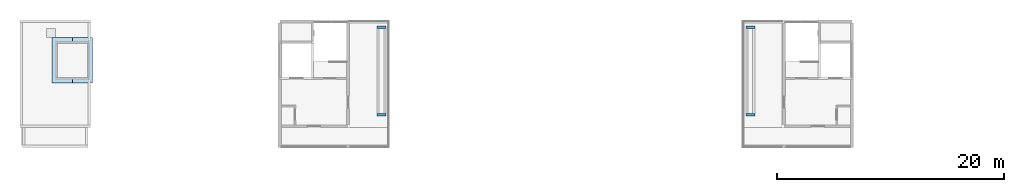
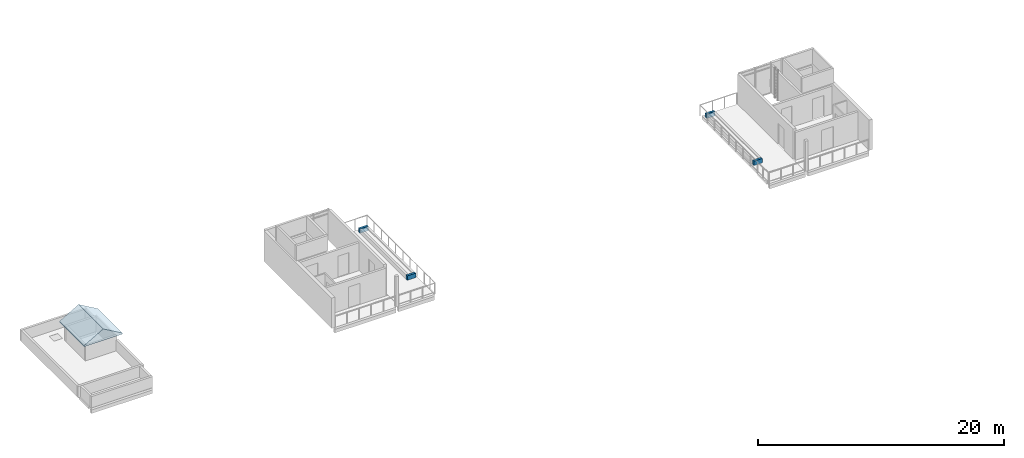
# One storey, part 12 of 15: 4 walls, 1 roof.
"""IFC4 building model written with IfcOpenShell, lengths in metres."""

from ifc_helpers import new_model, si_unit, direction, frame, frame_2d, origin, place, context, subcontext, project, spatial, polyline, rectangle, outline, extrude, material, layer, layer_set, type_object, element, save


model = new_model("IFC4")

# Units and contexts
model_context = context("Model", 3, precision=1e-05, world=origin(), true_north=direction((0.0, 1.0)))
body_context = subcontext(model_context, "Body", "Model", "MODEL_VIEW")
ifc_project = project(units=[si_unit("LENGTHUNIT", "METRE"), si_unit("AREAUNIT", "SQUARE_METRE"), si_unit("VOLUMEUNIT", "CUBIC_METRE"), si_unit("PLANEANGLEUNIT", "RADIAN"), si_unit("MASSUNIT", "GRAM", prefix="KILO")], contexts=[model_context])

# Site, building, storey
site_placement = place(None, origin())
site = spatial("IfcSite", under=ifc_project, at=site_placement, CompositionType="ELEMENT")
building_placement = place(site_placement, origin())
building = spatial("IfcBuilding", under=site, at=building_placement, Name="Ridgestep Commons", CompositionType="ELEMENT")
storey_placement = place(building_placement, frame((0.0, 0.0, 45.0)))
storey = spatial("IfcBuildingStorey", under=building, at=storey_placement, Name="L15", CompositionType="ELEMENT", Elevation=45.0)

# Walls
ifc_material_1 = material(Name="Facing brick", Category="masonry")
ifc_layer = layer(ifc_material_1, 0.199951171875)
ifc_layer_set = layer_set([ifc_layer], Name="Planter wall 200")
wall_type = type_object("IfcWallType", Name="Planter wall 200", PredefinedType="SOLIDWALL", material=ifc_layer_set)
for number, where, z_axis, x_axis, name in (
    (1, (54.14990234375, 14.64990234375, 0.010009765625), (0.0, 0.0, 1.0), (1.0, 0.0, 0.0), "Planter wall A3R3S"),
    (2, (54.14990234375, 22.35009765625, 0.010009765625), (0.0, 0.0, 1.0), (1.0, 0.0, 0.0), "Planter wall A3R3N"),
    (3, (86.64990234375, 14.64990234375, 0.010009765625), (0.0, 0.0, 1.0), (1.0, 0.0, 0.0), "Planter wall A5R3S"),
    (4, (86.64990234375, 22.35009765625, 0.010009765625), (0.0, 0.0, 1.0), (1.0, 0.0, 0.0), "Planter wall A5R3N"),
):
    element("IfcWall", number, at=place(storey_placement, frame(where, z_axis=z_axis, x_axis=x_axis)), inside=storey, type_object=wall_type, Name=name, PredefinedType="SOLIDWALL", context=body_context, shape_type="SweptSolid", body=[
        extrude(rectangle(XDim=0.800048828125, YDim=0.199951171875, at=frame_2d((0.39990234375, 0.0))), origin(), (0.0, 0.0, 1.0), 0.449951171875),
    ])

# Roof
ifc_material_2 = material(Name="Zinc-aluminium profiled sheet", Category="aluminium")
roof_type = type_object("IfcRoofType", Name="Gable crown 3575 x 4000", PredefinedType="GABLE_ROOF", material=ifc_material_2)
roof_placement = place(storey_placement, frame((25.52490234375, 19.449951171875, 1.699951171875), z_axis=(0.0, 0.0, 1.0), x_axis=(1.0, 0.0, 0.0)))
element("IfcRoof", 5, at=roof_placement, inside=storey, type_object=roof_type, Name="Gable crown A1C", PredefinedType="GABLE_ROOF", context=body_context, shape_type="SweptSolid", body=[
    extrude(outline(polyline([(0.0, 0.0), (3.5751953125, 0.0), (3.574951171875, 0.1201171875), (1.78759765625, 1.152099609375), (0.0, 0.1201171875), (0.0, 0.0)])), frame((0.0, 2.0, 0.0), z_axis=(0.0, -1.0, 0.0), x_axis=(1.0, 0.0, 0.0)), (0.0, 0.0, 1.0), 4.0),
])

save(model, "model.ifc")
